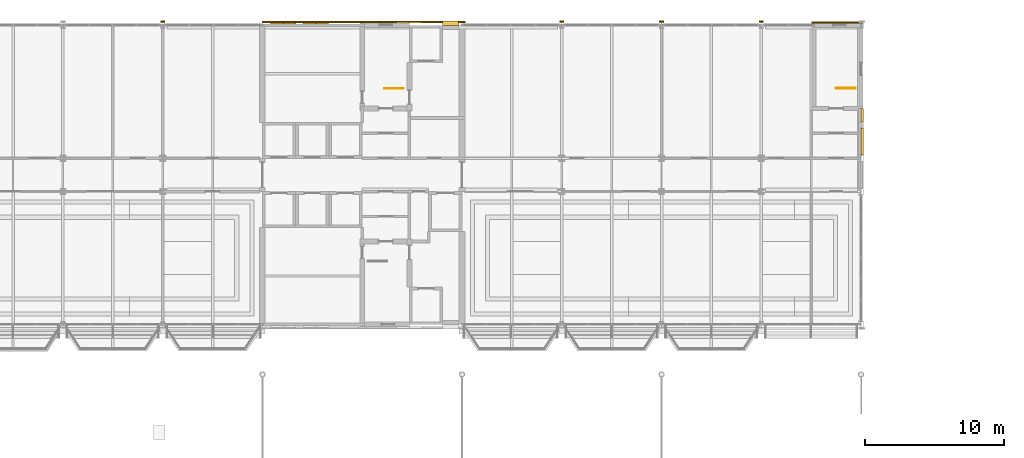
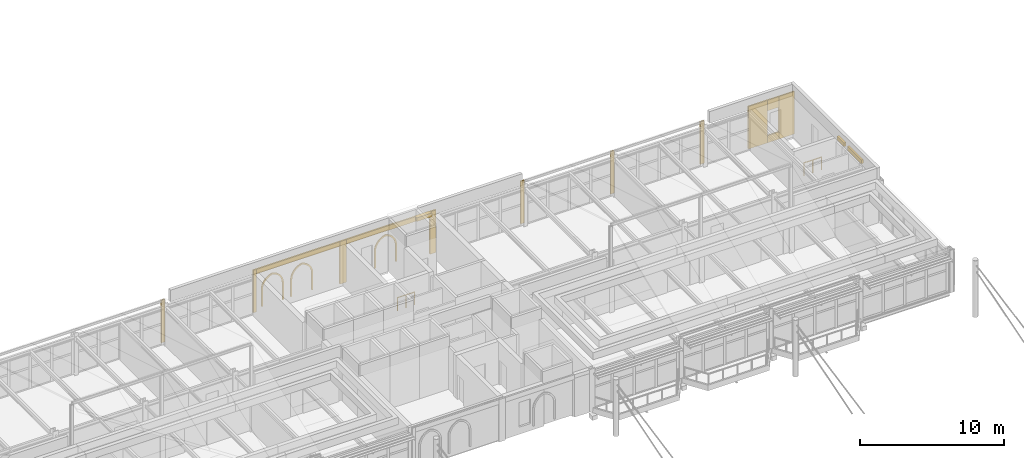
# One storey, part 65 of 68: 19 coverings, 2 railings.
"""IFC4 building model written with IfcOpenShell, lengths in metres."""

from ifc_helpers import new_model, si_unit, direction, frame, origin, origin_2d, place, context, subcontext, project, spatial, polyline, rectangle, circle, outline, extrude, material, layer, layer_set, type_object, element, save


model = new_model("IFC4")

# Units and contexts
model_context = context("Model", 3, precision=1e-05, world=origin(), true_north=direction((0.0, 1.0)))
body_context = subcontext(model_context, "Body", "Model", "MODEL_VIEW")
ifc_project = project(units=[si_unit("LENGTHUNIT", "METRE"), si_unit("AREAUNIT", "SQUARE_METRE"), si_unit("VOLUMEUNIT", "CUBIC_METRE"), si_unit("PLANEANGLEUNIT", "RADIAN"), si_unit("MASSUNIT", "GRAM", prefix="KILO")], contexts=[model_context])

# Site, building, storey
site_placement = place(None, origin())
site = spatial("IfcSite", under=ifc_project, at=site_placement, CompositionType="ELEMENT")
building_placement = place(site_placement, origin())
building = spatial("IfcBuilding", under=site, at=building_placement, Name="Kupolbacken Congress Centre", CompositionType="ELEMENT")
storey_placement = place(building_placement, frame((0.0, 0.0, 25.199951171875)))
storey = spatial("IfcBuildingStorey", under=building, at=storey_placement, Name="L07", CompositionType="ELEMENT", Elevation=25.199951171875)

# Coverings
ifc_material_1 = material(Name="Limestone cladding", Category="masonry")
ifc_layer_1 = layer(ifc_material_1, 0.1201171875)
ifc_layer_set_1 = layer_set([ifc_layer_1], Name="Limestone cladding")
covering_type_1 = type_object("IfcCoveringType", Name="CV1 limestone cladding band 120", PredefinedType="CLADDING", material=ifc_layer_set_1)
covering_1_placement = place(storey_placement, frame((136.885009765625, 135.60009765625, 3.2900390625), z_axis=(0.0, 0.0, 1.0), x_axis=(0.0, 1.0, 0.0)))
element("IfcCovering", 1, at=covering_1_placement, inside=storey, type_object=covering_type_1, Name="E/T/E/L07/101/band", PredefinedType="CLADDING", context=body_context, shape_type="SweptSolid", body=[
    extrude(rectangle(XDim=1.949951171875, YDim=0.169921875, at=origin_2d()), origin(), (0.0, 0.0, 1.0), 0.31005859375),
])
covering_2_placement = place(storey_placement, frame((136.885009765625, 137.512451171875, 3.2900390625), z_axis=(0.0, 0.0, 1.0), x_axis=(0.0, 1.0, 0.0)))
element("IfcCovering", 2, at=covering_2_placement, inside=storey, type_object=covering_type_1, Name="E/T/E/L07/102/band", PredefinedType="CLADDING", context=body_context, shape_type="SweptSolid", body=[
    extrude(rectangle(XDim=0.97509765625, YDim=0.169921875, at=origin_2d()), origin(), (0.0, 0.0, 1.0), 0.31005859375),
])
covering_3_placement = place(storey_placement, frame((107.199951171875, 144.155029296875, 3.2900390625), z_axis=(0.0, 0.0, 1.0), x_axis=(-1.0, 0.0, 0.0)))
element("IfcCovering", 3, at=covering_3_placement, inside=storey, type_object=covering_type_1, Name="E/T/N/L07/107/band", PredefinedType="CLADDING", context=body_context, shape_type="SweptSolid", body=[
    extrude(rectangle(XDim=1.199951171875, YDim=0.31005859375, at=origin_2d()), origin(), (0.0, 0.0, 1.0), 0.31005859375),
])
ifc_material_2 = material(Name="Brick cladding", Category="masonry")
ifc_layer_2 = layer(ifc_material_2, 0.10791015625)
ifc_layer_set_2 = layer_set([ifc_layer_2], Name="Brick cladding")
covering_type_2 = type_object("IfcCoveringType", Name="CV2 brick cladding band 108", PredefinedType="CLADDING", material=ifc_layer_set_2)
for number, where, z_axis, x_axis, name in (
    (4, (86.39990234375, 144.26611328125, 0.0), (0.0, 0.0, 1.0), (1.0, 0.0, 0.0), "E/T/pilaster/L07/C-T-13W/N"),
    (5, (115.199951171875, 144.26611328125, 0.0), (0.0, 0.0, 1.0), (1.0, 0.0, 0.0), "E/T/pilaster/L07/C-T-17W/N"),
    (6, (122.39990234375, 144.26611328125, 0.0), (0.0, 0.0, 1.0), (1.0, 0.0, 0.0), "E/T/pilaster/L07/C-T-18W/N"),
    (7, (129.60009765625, 144.26611328125, 0.0), (0.0, 0.0, 1.0), (1.0, 0.0, 0.0), "E/T/pilaster/L07/C-T-19W/N"),
):
    element("IfcCovering", number, at=place(storey_placement, frame(where, z_axis=z_axis, x_axis=x_axis)), inside=storey, type_object=covering_type_2, Name=name, PredefinedType="CLADDING", context=body_context, shape_type="SweptSolid", body=[
        extrude(rectangle(XDim=0.306884765625, YDim=0.10009765625, at=origin_2d()), origin(), (0.0, 0.0, 1.0), 3.60009765625),
    ])
covering_4_placement = place(storey_placement, frame((136.324951171875, 144.2041015625, 0.0), z_axis=(0.0, 0.0, 1.0), x_axis=(-1.0, 0.0, 0.0)))
element("IfcCovering", 8, at=covering_4_placement, inside=storey, type_object=covering_type_2, Name="S/core/L07/131/face0", PredefinedType="CLADDING", context=body_context, shape_type="SweptSolid", body=[
    extrude(rectangle(XDim=1.25, YDim=0.10791015625, at=origin_2d()), origin(), (0.0, 0.0, 1.0), 3.60009765625),
])
covering_5_placement = place(storey_placement, frame((134.02490234375, 144.2041015625, 0.0), z_axis=(0.0, 0.0, 1.0), x_axis=(-1.0, 0.0, 0.0)))
element("IfcCovering", 9, at=covering_5_placement, inside=storey, type_object=covering_type_2, Name="S/core/L07/131/face1", PredefinedType="CLADDING", context=body_context, shape_type="SweptSolid", body=[
    extrude(rectangle(XDim=1.550048828125, YDim=0.10791015625, at=origin_2d()), origin(), (0.0, 0.0, 1.0), 3.60009765625),
])
covering_6_placement = place(storey_placement, frame((135.25, 144.2041015625, 0.0), z_axis=(0.0, 0.0, 1.0), x_axis=(-1.0, 0.0, 0.0)))
element("IfcCovering", 10, at=covering_6_placement, inside=storey, type_object=covering_type_2, Name="S/core/L07/131/face2", PredefinedType="CLADDING", context=body_context, shape_type="SweptSolid", body=[
    extrude(rectangle(XDim=0.89990234375, YDim=0.10791015625, at=origin_2d()), origin(), (0.0, 0.0, 1.0), 0.60009765625),
])
covering_7_placement = place(storey_placement, frame((135.25, 144.2041015625, 2.7001953125), z_axis=(0.0, 0.0, 1.0), x_axis=(-1.0, 0.0, 0.0)))
element("IfcCovering", 11, at=covering_7_placement, inside=storey, type_object=covering_type_2, Name="S/core/L07/131/face3", PredefinedType="CLADDING", context=body_context, shape_type="SweptSolid", body=[
    extrude(rectangle(XDim=0.89990234375, YDim=0.10791015625, at=origin_2d()), origin(), (0.0, 0.0, 1.0), 0.89990234375),
])
covering_8_placement = place(storey_placement, frame((93.72509765625, 144.235107421875, 0.0), z_axis=(0.0, 0.0, 1.0), x_axis=(1.0, 0.0, 0.0)))
element("IfcCovering", 12, at=covering_8_placement, inside=storey, type_object=covering_type_2, Name="E/T/stripe/N/L07/pil93.6", PredefinedType="CLADDING", context=body_context, shape_type="SweptSolid", body=[
    extrude(rectangle(XDim=0.25, YDim=0.1201171875, at=origin_2d()), origin(), (0.0, 0.0, 1.0), 3.60009765625),
])
for number, where, z_axis, x_axis, name in (
    (13, (100.800048828125, 144.235107421875, 0.0), (0.0, 0.0, 1.0), (1.0, 0.0, 0.0), "E/T/stripe/N/L07/pil100.8"),
    (14, (108.0, 144.235107421875, 0.0), (0.0, 0.0, 1.0), (1.0, 0.0, 0.0), "E/T/stripe/N/L07/pil108"),
):
    element("IfcCovering", number, at=place(storey_placement, frame(where, z_axis=z_axis, x_axis=x_axis)), inside=storey, type_object=covering_type_2, Name=name, PredefinedType="CLADDING", context=body_context, shape_type="SweptSolid", body=[
        extrude(rectangle(XDim=0.5, YDim=0.1201171875, at=origin_2d()), origin(), (0.0, 0.0, 1.0), 3.60009765625),
    ])
covering_9_placement = place(storey_placement, frame((97.199951171875, 144.235107421875, 3.2001953125), z_axis=(0.0, 0.0, 1.0), x_axis=(1.0, 0.0, 0.0)))
element("IfcCovering", 15, at=covering_9_placement, inside=storey, type_object=covering_type_2, Name="E/T/stripe/N/L07/belt93.6", PredefinedType="CLADDING", context=body_context, shape_type="SweptSolid", body=[
    extrude(rectangle(XDim=6.699951171875, YDim=0.1201171875, at=origin_2d()), origin(), (0.0, 0.0, 1.0), 0.39990234375),
])
covering_10_placement = place(storey_placement, frame((94.199951171875, 144.10009765625, 0.35009765625), z_axis=(0.0, 1.0, 0.0), x_axis=(-1.0, 0.0, 0.0)))
element("IfcCovering", 16, at=covering_10_placement, inside=storey, type_object=covering_type_2, Name="E/T/stripe/N/L07/niche93.6/1", PredefinedType="CLADDING", context=body_context, shape_type="SweptSolid", body=[
    extrude(outline(polyline([(0.0, 0.0), (0.0, 1.43408203125), (-0.00537109375, 1.54443359375), (-0.021484375, 1.654052734375), (-0.048095703125, 1.761474609375), (-0.084716796875, 1.86572265625), (-0.131591796875, 1.966064453125), (-0.187744140625, 2.061279296875), (-0.2529296875, 2.15087890625), (-0.32666015625, 2.2333984375), (-0.40771484375, 2.30859375), (-0.495849609375, 2.37548828125), (-0.590087890625, 2.433837890625), (-0.689453125, 2.482421875), (-0.793212890625, 2.521240234375), (-0.89990234375, 2.550048828125), (-1.0068359375, 2.521240234375), (-1.110595703125, 2.482421875), (-1.2099609375, 2.433837890625), (-1.30419921875, 2.37548828125), (-1.39208984375, 2.30859375), (-1.473388671875, 2.2333984375), (-1.547119140625, 2.15087890625), (-1.6123046875, 2.061279296875), (-1.66845703125, 1.966064453125), (-1.715087890625, 1.86572265625), (-1.751953125, 1.761474609375), (-1.778564453125, 1.654052734375), (-1.794677734375, 1.54443359375), (-1.800048828125, 1.43408203125), (-1.800048828125, 0.0), (-1.679931640625, 0.0), (-1.679931640625, 1.43408203125), (-1.67529296875, 1.531005859375), (-1.66162109375, 1.627197265625), (-1.638671875, 1.7216796875), (-1.60693359375, 1.8134765625), (-1.566650390625, 1.90185546875), (-1.51806640625, 1.986083984375), (-1.461669921875, 2.065185546875), (-1.398193359375, 2.138916015625), (-1.327880859375, 2.205810546875), (-1.25146484375, 2.26611328125), (-1.169677734375, 2.318603515625), (-1.08349609375, 2.36328125), (-0.9931640625, 2.3994140625), (-0.89990234375, 2.427001953125), (-0.806884765625, 2.3994140625), (-0.716552734375, 2.36328125), (-0.63037109375, 2.318603515625), (-0.548583984375, 2.26611328125), (-0.47216796875, 2.205810546875), (-0.40185546875, 2.138916015625), (-0.33837890625, 2.065185546875), (-0.281982421875, 1.986083984375), (-0.2333984375, 1.90185546875), (-0.193115234375, 1.8134765625), (-0.161376953125, 1.7216796875), (-0.138427734375, 1.627197265625), (-0.12451171875, 1.531005859375), (-0.1201171875, 1.43408203125), (-0.1201171875, 0.0), (0.0, 0.0)])), origin(), (0.0, 0.0, 1.0), 0.080078125),
])
covering_11_placement = place(storey_placement, frame((96.550048828125, 144.10009765625, 0.35009765625), z_axis=(0.0, 1.0, 0.0), x_axis=(-1.0, 0.0, 0.0)))
element("IfcCovering", 17, at=covering_11_placement, inside=storey, type_object=covering_type_2, Name="E/T/stripe/N/L07/niche93.6/2", PredefinedType="CLADDING", context=body_context, shape_type="SweptSolid", body=[
    extrude(outline(polyline([(0.0, 0.0), (0.0, 1.43408203125), (-0.00537109375, 1.54443359375), (-0.021484375, 1.654052734375), (-0.048095703125, 1.761474609375), (-0.084716796875, 1.86572265625), (-0.131591796875, 1.966064453125), (-0.187744140625, 2.061279296875), (-0.2529296875, 2.15087890625), (-0.32666015625, 2.2333984375), (-0.40771484375, 2.30859375), (-0.495849609375, 2.37548828125), (-0.590087890625, 2.433837890625), (-0.689453125, 2.482421875), (-0.793212890625, 2.521240234375), (-0.89990234375, 2.550048828125), (-1.0068359375, 2.521240234375), (-1.110595703125, 2.482421875), (-1.2099609375, 2.433837890625), (-1.30419921875, 2.37548828125), (-1.39208984375, 2.30859375), (-1.473388671875, 2.2333984375), (-1.547119140625, 2.15087890625), (-1.6123046875, 2.061279296875), (-1.66845703125, 1.966064453125), (-1.715087890625, 1.86572265625), (-1.751953125, 1.761474609375), (-1.778564453125, 1.654052734375), (-1.794677734375, 1.54443359375), (-1.800048828125, 1.43408203125), (-1.800048828125, 0.0), (-1.679931640625, 0.0), (-1.679931640625, 1.43408203125), (-1.67529296875, 1.531005859375), (-1.66162109375, 1.627197265625), (-1.638671875, 1.7216796875), (-1.60693359375, 1.8134765625), (-1.566650390625, 1.90185546875), (-1.51806640625, 1.986083984375), (-1.461669921875, 2.065185546875), (-1.398193359375, 2.138916015625), (-1.327880859375, 2.205810546875), (-1.25146484375, 2.26611328125), (-1.169677734375, 2.318603515625), (-1.08349609375, 2.36328125), (-0.9931640625, 2.3994140625), (-0.89990234375, 2.427001953125), (-0.806884765625, 2.3994140625), (-0.716552734375, 2.36328125), (-0.63037109375, 2.318603515625), (-0.548583984375, 2.26611328125), (-0.47216796875, 2.205810546875), (-0.40185546875, 2.138916015625), (-0.33837890625, 2.065185546875), (-0.281982421875, 1.986083984375), (-0.2333984375, 1.90185546875), (-0.193115234375, 1.8134765625), (-0.161376953125, 1.7216796875), (-0.138427734375, 1.627197265625), (-0.12451171875, 1.531005859375), (-0.1201171875, 1.43408203125), (-0.1201171875, 0.0), (0.0, 0.0)])), origin(), (0.0, 0.0, 1.0), 0.080078125),
])
covering_12_placement = place(storey_placement, frame((104.39990234375, 144.235107421875, 3.2001953125), z_axis=(0.0, 0.0, 1.0), x_axis=(1.0, 0.0, 0.0)))
element("IfcCovering", 18, at=covering_12_placement, inside=storey, type_object=covering_type_2, Name="E/T/stripe/N/L07/belt100.8", PredefinedType="CLADDING", context=body_context, shape_type="SweptSolid", body=[
    extrude(rectangle(XDim=6.699951171875, YDim=0.1201171875, at=origin_2d()), origin(), (0.0, 0.0, 1.0), 0.39990234375),
])
covering_13_placement = place(storey_placement, frame((103.300048828125, 144.175048828125, 0.35009765625), z_axis=(0.0, 1.0, 0.0), x_axis=(-1.0, 0.0, 0.0)))
element("IfcCovering", 19, at=covering_13_placement, inside=storey, type_object=covering_type_2, Name="E/T/stripe/N/L07/niche100.8/1", PredefinedType="CLADDING", context=body_context, shape_type="SweptSolid", body=[
    extrude(outline(polyline([(0.0, 0.0), (0.0, 1.43408203125), (-0.00537109375, 1.54443359375), (-0.021484375, 1.654052734375), (-0.048095703125, 1.761474609375), (-0.084716796875, 1.86572265625), (-0.131591796875, 1.966064453125), (-0.187744140625, 2.061279296875), (-0.2529296875, 2.15087890625), (-0.32666015625, 2.2333984375), (-0.40771484375, 2.30859375), (-0.495849609375, 2.37548828125), (-0.590087890625, 2.433837890625), (-0.689453125, 2.482421875), (-0.793212890625, 2.521240234375), (-0.89990234375, 2.550048828125), (-1.0068359375, 2.521240234375), (-1.110595703125, 2.482421875), (-1.2099609375, 2.433837890625), (-1.30419921875, 2.37548828125), (-1.39208984375, 2.30859375), (-1.473388671875, 2.2333984375), (-1.547119140625, 2.15087890625), (-1.6123046875, 2.061279296875), (-1.66845703125, 1.966064453125), (-1.715087890625, 1.86572265625), (-1.751953125, 1.761474609375), (-1.778564453125, 1.654052734375), (-1.794677734375, 1.54443359375), (-1.800048828125, 1.43408203125), (-1.800048828125, 0.0), (-1.679931640625, 0.0), (-1.679931640625, 1.43408203125), (-1.67529296875, 1.531005859375), (-1.66162109375, 1.627197265625), (-1.638671875, 1.7216796875), (-1.60693359375, 1.8134765625), (-1.566650390625, 1.90185546875), (-1.51806640625, 1.986083984375), (-1.461669921875, 2.065185546875), (-1.398193359375, 2.138916015625), (-1.327880859375, 2.205810546875), (-1.25146484375, 2.26611328125), (-1.169677734375, 2.318603515625), (-1.08349609375, 2.36328125), (-0.9931640625, 2.3994140625), (-0.89990234375, 2.427001953125), (-0.806884765625, 2.3994140625), (-0.716552734375, 2.36328125), (-0.63037109375, 2.318603515625), (-0.548583984375, 2.26611328125), (-0.47216796875, 2.205810546875), (-0.40185546875, 2.138916015625), (-0.33837890625, 2.065185546875), (-0.281982421875, 1.986083984375), (-0.2333984375, 1.90185546875), (-0.193115234375, 1.8134765625), (-0.161376953125, 1.7216796875), (-0.138427734375, 1.627197265625), (-0.12451171875, 1.531005859375), (-0.1201171875, 1.43408203125), (-0.1201171875, 0.0), (0.0, 0.0)])), origin(), (0.0, 0.0, 1.0), 0.080078125),
])

# Railings
ifc_material_3 = material(Name="Steel S235", Category="steel")
railing_type = type_object("IfcRailingType", Name="RL1 guard 1100 steel balustrade", PredefinedType="GUARDRAIL", material=ifc_material_3)
railing_1_placement = place(storey_placement, frame((103.77490234375, 139.43505859375, 0.0)))
element("IfcRailing", 20, at=railing_1_placement, inside=storey, type_object=railing_type, Name="C/guard/TS2/L07", PredefinedType="GUARDRAIL", context=body_context, shape_type="SweptSolid", body=[
    extrude(circle(Radius=0.02392578125, at=origin_2d()), frame((0.0, 0.0, 1.076171875), z_axis=(-1.0, 0.0, 0.0), x_axis=(0.0, -1.0, 0.0)), (0.0, 0.0, 1.0), 1.375),
    extrude(circle(Radius=0.02099609375, at=origin_2d()), origin(), (0.0, 0.0, 1.0), 1.052001953125),
    extrude(circle(Radius=0.02099609375, at=origin_2d()), frame((-0.6875, 0.0, 0.0)), (0.0, 0.0, 1.0), 1.052001953125),
    extrude(circle(Radius=0.02099609375, at=origin_2d()), frame((-1.375, 0.0, 0.0)), (0.0, 0.0, 1.0), 1.052001953125),
])
railing_2_placement = place(storey_placement, frame((136.39990234375, 139.4599609375, 0.0)))
element("IfcRailing", 21, at=railing_2_placement, inside=storey, type_object=railing_type, Name="C/guard/TS4/L07", PredefinedType="GUARDRAIL", context=body_context, shape_type="SweptSolid", body=[
    extrude(circle(Radius=0.02392578125, at=origin_2d()), frame((0.0, 0.0, 1.076171875), z_axis=(-1.0, 0.0, 0.0), x_axis=(0.0, -1.0, 0.0)), (0.0, 0.0, 1.0), 1.39990234375),
    extrude(circle(Radius=0.02099609375, at=origin_2d()), origin(), (0.0, 0.0, 1.0), 1.052001953125),
    extrude(circle(Radius=0.02099609375, at=origin_2d()), frame((-0.699951171875, 0.0, 0.0)), (0.0, 0.0, 1.0), 1.052001953125),
    extrude(circle(Radius=0.02099609375, at=origin_2d()), frame((-1.39990234375, 0.0, 0.0)), (0.0, 0.0, 1.0), 1.052001953125),
])

save(model, "model.ifc")
